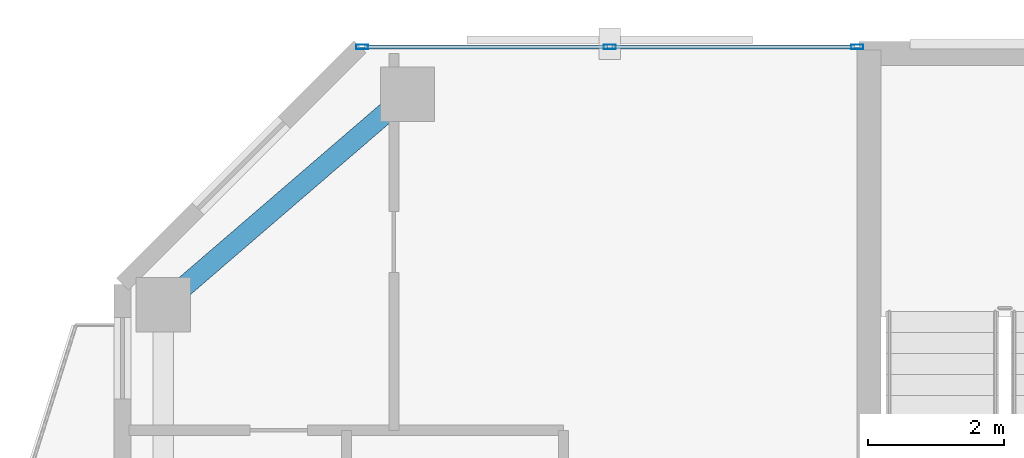
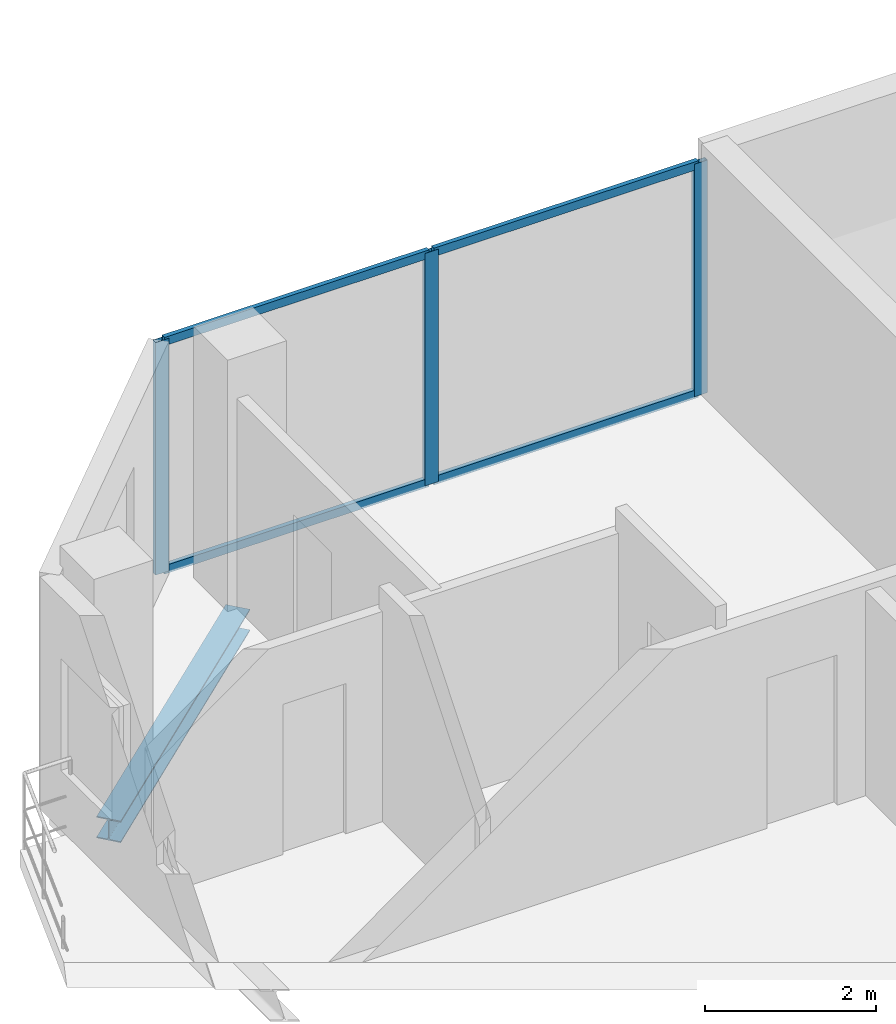
# One storey, part 15 of 23: 7 members, 1 beam, 1 element without a shape of its own.
"""IFC4 building model written with IfcOpenShell, lengths in metres."""

from ifc_helpers import new_model, si_unit, direction, frame, origin, origin_2d, place, context, subcontext, project, spatial, hollow_rectangle, i_section, extrude, material, layer, layer_set, material_profile, profile_set, type_object, element, aggregate, save


model = new_model("IFC4")

# Units and contexts
model_context = context("Model", 3, precision=1e-05, world=origin(), true_north=direction((0.0, 1.0)))
body_context = subcontext(model_context, "Body", "Model", "MODEL_VIEW")
ifc_project = project(units=[si_unit("LENGTHUNIT", "METRE"), si_unit("AREAUNIT", "SQUARE_METRE"), si_unit("VOLUMEUNIT", "CUBIC_METRE"), si_unit("PLANEANGLEUNIT", "RADIAN"), si_unit("MASSUNIT", "GRAM", prefix="KILO")], contexts=[model_context])

# Site, building, storey
site_placement = place(None, origin())
site = spatial("IfcSite", under=ifc_project, at=site_placement, CompositionType="ELEMENT")
building_placement = place(site_placement, origin())
building = spatial("IfcBuilding", under=site, at=building_placement, Name="Catumbela Crestline Tower", CompositionType="ELEMENT")
storey_placement = place(building_placement, frame((0.0, 0.0, 165.0)))
storey = spatial("IfcBuildingStorey", under=building, at=storey_placement, Name="L42", CompositionType="ELEMENT", Elevation=165.0)

# Curtain wall, members
ifc_material_1 = material(Name="Aluminium alloy AW-6060-T66", Category="aluminium")
ifc_layer = layer(ifc_material_1, 0.18, Name="Aluminium alloy AW-6060-T66")
ifc_layer_set = layer_set([ifc_layer], Name="Aluminium alloy AW-6060-T66")
curtain_wall_type = type_object("IfcCurtainWallType", Name="CWU-Z3", PredefinedType="USERDEFINED", material=ifc_layer_set)
curtain_wall_placement = place(storey_placement, origin())
curtain_wall = element("IfcCurtainWall", 1, at=curtain_wall_placement, inside=storey, type_object=curtain_wall_type, Name="L42 Unitised Curtain Wall CW-L42-E7S2", ObjectType="UNITISED", PredefinedType="USERDEFINED")
ifc_material_profile_1 = material_profile(ifc_material_1, hollow_rectangle(XDim=0.065, YDim=0.18, WallThickness=0.004, at=origin_2d()), Name="ALU 180x65x4")
ifc_profile_set_1 = profile_set([ifc_material_profile_1], Name="Aluminium alloy AW-6060-T66")
member_type_1 = type_object("IfcMemberType", Name="MUL-180X65", PredefinedType="MULLION", material=ifc_profile_set_1)
member_1_placement = place(storey_placement, frame((15.8275, 43.0, 0.0), z_axis=(0.0, 0.0, 1.0), x_axis=(0.0, -1.0, 0.0)))
member_1 = element("IfcMember", 2, at=member_1_placement, type_object=member_type_1, Name="CWU-Z3 mullion 1", PredefinedType="MULLION", context=body_context, shape_type="SweptSolid", body=[
    extrude(hollow_rectangle(XDim=0.065, YDim=0.18, WallThickness=0.004, at=origin_2d()), origin(), (0.0, 0.0, 1.0), 3.33),
])
member_2_placement = place(storey_placement, frame((12.18, 43.0, 0.0), z_axis=(0.0, 0.0, 1.0), x_axis=(0.0, -1.0, 0.0)))
member_2 = element("IfcMember", 3, at=member_2_placement, type_object=member_type_1, Name="CWU-Z3 mullion 2", PredefinedType="MULLION", context=body_context, shape_type="SweptSolid", body=[
    extrude(hollow_rectangle(XDim=0.065, YDim=0.18, WallThickness=0.004, at=origin_2d()), origin(), (0.0, 0.0, 1.0), 3.33),
])
member_3_placement = place(storey_placement, frame((8.5325, 43.0, 0.0), z_axis=(0.0, 0.0, 1.0), x_axis=(0.0, -1.0, 0.0)))
member_3 = element("IfcMember", 4, at=member_3_placement, type_object=member_type_1, Name="CWU-Z3 mullion 3", PredefinedType="MULLION", context=body_context, shape_type="SweptSolid", body=[
    extrude(hollow_rectangle(XDim=0.065, YDim=0.18, WallThickness=0.004, at=origin_2d()), origin(), (0.0, 0.0, 1.0), 3.33),
])

# Beam
ifc_material_2 = material(Name="Structural steel S355J2", Category="steel")
ifc_material_profile_2 = material_profile(ifc_material_2, i_section(OverallWidth=0.3, OverallDepth=0.31, WebThickness=0.009, FlangeThickness=0.0155, FilletRadius=0.027, at=origin_2d()), Name="HEA 320")
ifc_profile_set_2 = profile_set([ifc_material_profile_2], Name="Structural steel S355J2")
beam_type = type_object("IfcBeamType", Name="BS-HEA320", PredefinedType="SPANDREL", material=ifc_profile_set_2)
beam_placement = place(storey_placement, frame((5.6606, 39.2522, -0.415), z_axis=(0.757772392559, 0.652518966066, 0.0), x_axis=(-0.652518966066, 0.757772392559, 0.0)))
element("IfcBeam", 5, at=beam_placement, inside=storey, type_object=beam_type, Name="L42 Spandrel SP-L42-N10", PredefinedType="SPANDREL", context=body_context, shape_type="SweptSolid", body=[
    extrude(i_section(OverallWidth=0.3, OverallDepth=0.31, WebThickness=0.009, FlangeThickness=0.0155, FilletRadius=0.027, at=origin_2d()), origin(), (0.0, 0.0, 1.0), 4.5908),
])

# Member
ifc_material_profile_3 = material_profile(ifc_material_1, hollow_rectangle(XDim=0.06, YDim=0.12, WallThickness=0.0035, at=origin_2d()), Name="ALU 120x60x3.5")
ifc_profile_set_3 = profile_set([ifc_material_profile_3], Name="Aluminium alloy AW-6060-T66")
member_type_2 = type_object("IfcMemberType", Name="TRN-120X60", PredefinedType="USERDEFINED", material=ifc_profile_set_3)
member_4_placement = place(storey_placement, frame((15.795, 43.0, 0.03), z_axis=(-1.0, 0.0, 0.0), x_axis=(0.0, -1.0, 0.0)))
member_4 = element("IfcMember", 6, at=member_4_placement, type_object=member_type_2, Name="CWU-Z3 transom 1.1", ObjectType="TRANSOM", PredefinedType="USERDEFINED", context=body_context, shape_type="SweptSolid", body=[
    extrude(hollow_rectangle(XDim=0.06, YDim=0.12, WallThickness=0.0035, at=origin_2d()), origin(), (0.0, 0.0, 1.0), 3.5825),
])

member_5_placement = place(storey_placement, frame((15.795, 43.0, 3.3), z_axis=(-1.0, 0.0, 0.0), x_axis=(0.0, -1.0, 0.0)))
member_5 = element("IfcMember", 7, at=member_5_placement, type_object=member_type_2, Name="CWU-Z3 transom 1.2", ObjectType="TRANSOM", PredefinedType="USERDEFINED", context=body_context, shape_type="SweptSolid", body=[
    extrude(hollow_rectangle(XDim=0.06, YDim=0.12, WallThickness=0.0035, at=origin_2d()), origin(), (0.0, 0.0, 1.0), 3.5825),
])

member_6_placement = place(storey_placement, frame((12.1475, 43.0, 0.03), z_axis=(-1.0, 0.0, 0.0), x_axis=(0.0, -1.0, 0.0)))
member_6 = element("IfcMember", 8, at=member_6_placement, type_object=member_type_2, Name="CWU-Z3 transom 2.1", ObjectType="TRANSOM", PredefinedType="USERDEFINED", context=body_context, shape_type="SweptSolid", body=[
    extrude(hollow_rectangle(XDim=0.06, YDim=0.12, WallThickness=0.0035, at=origin_2d()), origin(), (0.0, 0.0, 1.0), 3.5825),
])

member_7_placement = place(storey_placement, frame((12.1475, 43.0, 3.3), z_axis=(-1.0, 0.0, 0.0), x_axis=(0.0, -1.0, 0.0)))
member_7 = element("IfcMember", 9, at=member_7_placement, type_object=member_type_2, Name="CWU-Z3 transom 2.2", ObjectType="TRANSOM", PredefinedType="USERDEFINED", context=body_context, shape_type="SweptSolid", body=[
    extrude(hollow_rectangle(XDim=0.06, YDim=0.12, WallThickness=0.0035, at=origin_2d()), origin(), (0.0, 0.0, 1.0), 3.5825),
])

aggregate(curtain_wall, [member_1, member_2, member_3, member_4, member_5, member_6, member_7])

save(model, "model.ifc")
